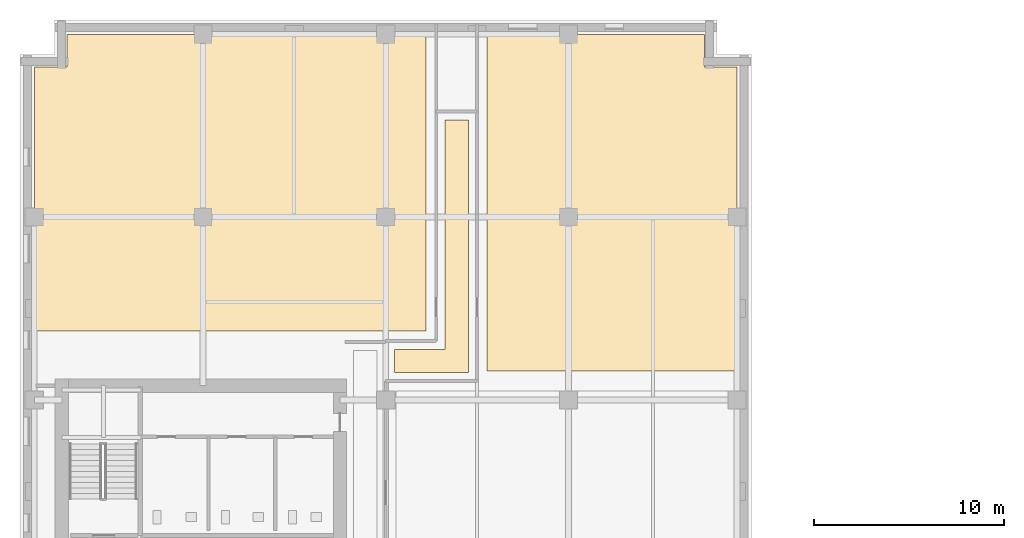
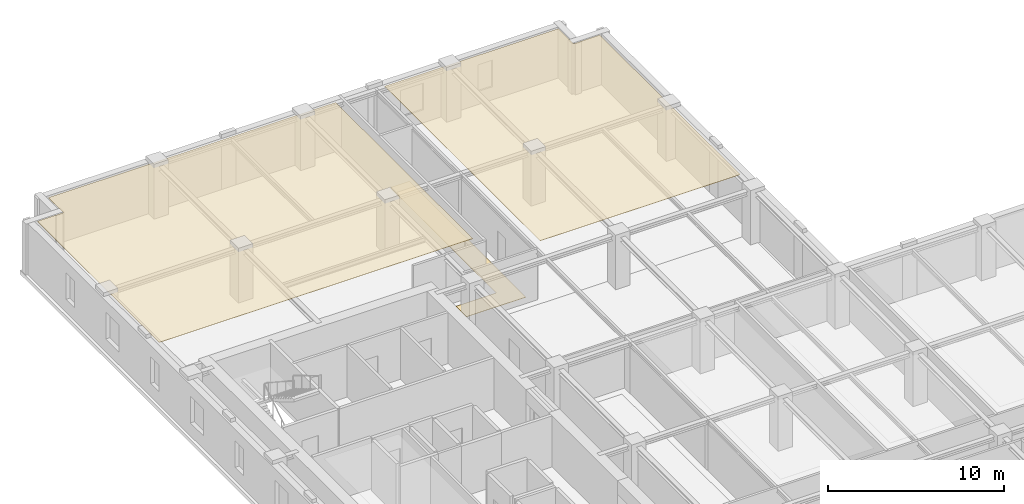
# One storey, part 12 of 13: 3 coverings.
"""IFC4 building model written with IfcOpenShell, lengths in metres."""

from ifc_helpers import new_model, si_unit, direction, frame, origin, place, context, subcontext, project, spatial, polyline, outline, extrude, material, layer, layer_set, type_object, element, save


model = new_model("IFC4")

# Units and contexts
model_context = context("Model", 3, precision=1e-05, world=origin(), true_north=direction((0.0, 1.0)))
body_context = subcontext(model_context, "Body", "Model", "MODEL_VIEW")
ifc_project = project(units=[si_unit("LENGTHUNIT", "METRE"), si_unit("AREAUNIT", "SQUARE_METRE"), si_unit("VOLUMEUNIT", "CUBIC_METRE"), si_unit("PLANEANGLEUNIT", "RADIAN"), si_unit("MASSUNIT", "GRAM", prefix="KILO")], contexts=[model_context])

# Site, building, storey
site_placement = place(None, origin())
site = spatial("IfcSite", under=ifc_project, at=site_placement, CompositionType="ELEMENT")
building_placement = place(site_placement, origin())
building = spatial("IfcBuilding", under=site, at=building_placement, Name="Norrvale University Quadrangle", CompositionType="ELEMENT")
storey_placement = place(building_placement, frame((0.0, 0.0, 178.800048828125)))
storey = spatial("IfcBuildingStorey", under=building, at=storey_placement, Name="L45", CompositionType="ELEMENT", Elevation=178.800048828125)

# Coverings
ifc_material_1 = material(Name="Perforated Acoustic Mineral Ceiling")
ifc_layer_1 = layer(ifc_material_1, 0.02490234375, Name="Perforated Acoustic Mineral Ceiling")
ifc_layer_set_1 = layer_set([ifc_layer_1], Name="Perforated Acoustic Mineral Ceiling")
covering_type_1 = type_object("IfcCoveringType", Name="Covering Acoustic Ceiling 25", PredefinedType="CEILING", material=ifc_layer_set_1)
covering_1_placement = place(storey_placement, frame((0.0, 0.0, 3.514892578125)))
element("IfcCovering", 1, at=covering_1_placement, inside=storey, type_object=covering_type_1, Name="Acoustic Ceiling RM-L45-NE01", PredefinedType="CEILING", context=body_context, shape_type="SweptSolid", body=[
    extrude(outline(polyline([(37.64990234375, 48.780029296875), (24.530029296875, 48.780029296875), (24.530029296875, 66.449951171875), (35.929931640625, 66.449951171875), (35.929931640625, 64.72998046875), (37.64990234375, 64.72998046875), (37.64990234375, 48.780029296875)])), origin(), (0.0, 0.0, 1.0), 0.025146484375),
])
covering_2_placement = place(storey_placement, frame((0.0, 0.0, 3.514892578125)))
element("IfcCovering", 2, at=covering_2_placement, inside=storey, type_object=covering_type_1, Name="Acoustic Ceiling RM-L45-NW01", PredefinedType="CEILING", context=body_context, shape_type="SweptSolid", body=[
    extrude(outline(polyline([(21.320068359375, 66.449951171875), (21.320068359375, 50.8798828125), (0.75, 50.8798828125), (0.75, 64.72998046875), (2.469970703125, 64.72998046875), (2.469970703125, 66.449951171875), (21.320068359375, 66.449951171875)])), origin(), (0.0, 0.0, 1.0), 0.025146484375),
])
ifc_material_2 = material(Name="Polished Terrazzo Flooring")
ifc_layer_2 = layer(ifc_material_2, 0.02490234375, Name="Polished Terrazzo Flooring")
ifc_layer_set_2 = layer_set([ifc_layer_2], Name="Polished Terrazzo Flooring")
covering_type_2 = type_object("IfcCoveringType", Name="Covering Terrazzo Floor 30", PredefinedType="FLOORING", material=ifc_layer_set_2)
covering_3_placement = place(storey_placement, origin())
element("IfcCovering", 3, at=covering_3_placement, inside=storey, type_object=covering_type_2, Name="Terrazzo Flooring RM-L45-NCJOG", PredefinedType="FLOORING", context=body_context, shape_type="SweptSolid", body=[
    extrude(outline(polyline([(19.64990234375, 48.699951171875), (19.64990234375, 49.89990234375), (22.300048828125, 49.89990234375), (22.300048828125, 61.949951171875), (23.550048828125, 61.949951171875), (23.550048828125, 48.699951171875), (19.64990234375, 48.699951171875)])), origin(), (0.0, 0.0, 1.0), 0.02490234375),
])

save(model, "model.ifc")
